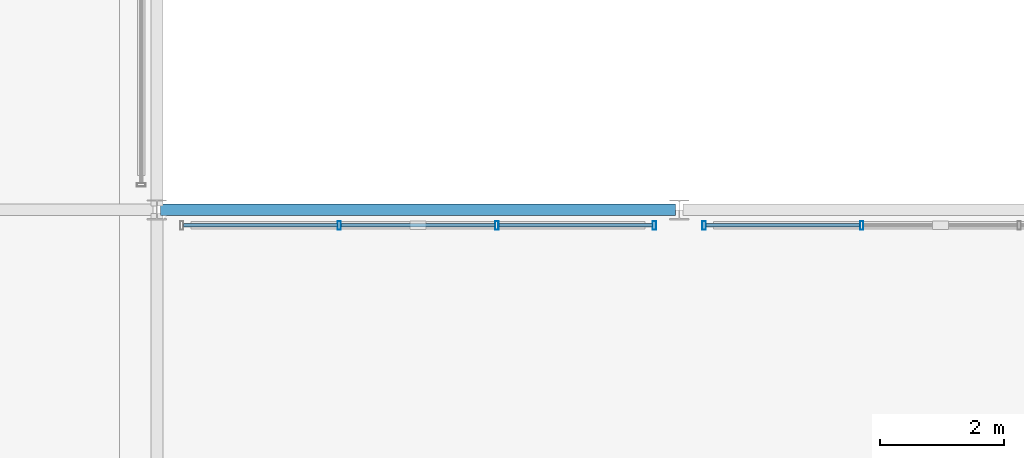
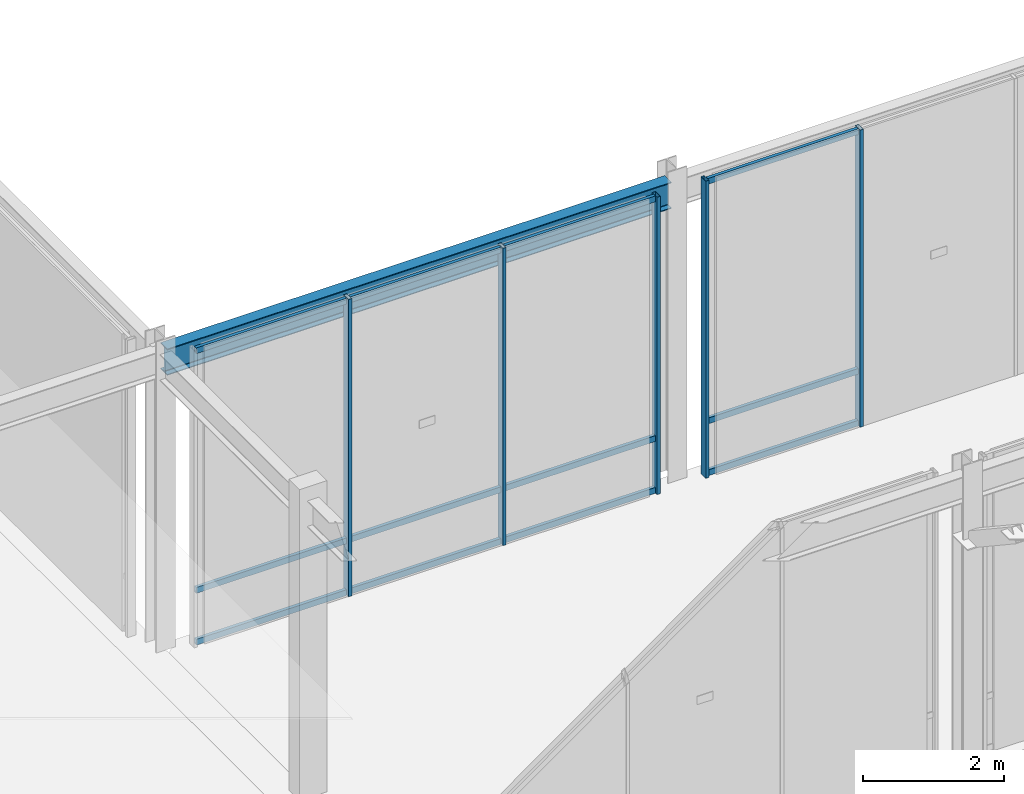
# One storey, part 40 of 157: 17 members, 1 beam, 2 elements without a shape of their own.
"""IFC4 building model written with IfcOpenShell, lengths in metres."""

from ifc_helpers import new_model, si_unit, direction, frame, origin, origin_2d, place, context, subcontext, project, spatial, hollow_rectangle, i_section, extrude, material, material_profile, profile_set, type_object, element, aggregate, save


model = new_model("IFC4")

# Units and contexts
model_context = context("Model", 3, precision=1e-05, world=origin(), true_north=direction((0.0, 1.0)))
body_context = subcontext(model_context, "Body", "Model", "MODEL_VIEW")
ifc_project = project(units=[si_unit("LENGTHUNIT", "METRE"), si_unit("AREAUNIT", "SQUARE_METRE"), si_unit("VOLUMEUNIT", "CUBIC_METRE"), si_unit("PLANEANGLEUNIT", "RADIAN"), si_unit("MASSUNIT", "GRAM", prefix="KILO"), si_unit("THERMODYNAMICTEMPERATUREUNIT", "KELVIN"), si_unit("POWERUNIT", "WATT")], contexts=[model_context])

# Site, building, storey
site_placement = place(None, origin())
site = spatial("IfcSite", under=ifc_project, at=site_placement, CompositionType="ELEMENT")
building_placement = place(site_placement, origin())
building = spatial("IfcBuilding", under=site, at=building_placement, Name="Darbajah Civic Hall", CompositionType="ELEMENT")
storey_placement = place(building_placement, origin())
storey = spatial("IfcBuildingStorey", under=building, at=storey_placement, Name="L00", CompositionType="ELEMENT", Elevation=0.0)

# Curtain wall, members
ifc_material_1 = material(Name="Anodised Bronze Aluminium and Low-E Glazing", Category="aluminium")
curtain_wall_type = type_object("IfcCurtainWallType", Name="Unitised Curtain Wall CW-101 7600x5150", PredefinedType="USERDEFINED", material=ifc_material_1)
curtain_wall_1_placement = place(storey_placement, origin())
curtain_wall_1 = element("IfcCurtainWall", 1, at=curtain_wall_1_placement, inside=storey, type_object=curtain_wall_type, Name="L00 unitised curtain wall CW-V6-SE-N-L00", ObjectType="UNITISED CURTAIN WALL", PredefinedType="USERDEFINED")
ifc_material_2 = material(Name="Anodised Bronze Aluminium", Category="aluminium")
ifc_material_profile_1 = material_profile(ifc_material_2, hollow_rectangle(XDim=0.054931640625, YDim=0.139892578125, WallThickness=0.003173828125, at=origin_2d()), Name="ALU MULLION 55x140")
ifc_profile_set_1 = profile_set([ifc_material_profile_1], Name="Anodised Bronze Aluminium")
member_type_1 = type_object("IfcMemberType", Name="ALU MULLION 55x140", PredefinedType="MULLION", material=ifc_profile_set_1)
member_1_placement = place(storey_placement, frame((97.13330078125, 41.75, 0.0), z_axis=(0.0, 0.0, 1.0), x_axis=(1.0, 0.0, 0.0)))
member_1 = element("IfcMember", 2, at=member_1_placement, type_object=member_type_1, Name="CW-V6-SE-N-L00 mullion 2", PredefinedType="MULLION", context=body_context, shape_type="SweptSolid", body=[
    extrude(hollow_rectangle(XDim=0.054931640625, YDim=0.139892578125, WallThickness=0.003173828125, at=origin_2d()), origin(), (0.0, 0.0, 1.0), 5.159912109375),
])
member_2_placement = place(storey_placement, frame((99.666748046875, 41.75, 0.0), z_axis=(0.0, 0.0, 1.0), x_axis=(1.0, 0.0, 0.0)))
member_2 = element("IfcMember", 3, at=member_2_placement, type_object=member_type_1, Name="CW-V6-SE-N-L00 mullion 3", PredefinedType="MULLION", context=body_context, shape_type="SweptSolid", body=[
    extrude(hollow_rectangle(XDim=0.054931640625, YDim=0.139892578125, WallThickness=0.003173828125, at=origin_2d()), origin(), (0.0, 0.0, 1.0), 5.159912109375),
])
member_3_placement = place(storey_placement, frame((102.199951171875, 41.75, 0.0), z_axis=(0.0, 0.0, 1.0), x_axis=(1.0, 0.0, 0.0)))
member_3 = element("IfcMember", 4, at=member_3_placement, type_object=member_type_1, Name="CW-V6-SE-N-L00 mullion 4", PredefinedType="MULLION", context=body_context, shape_type="SweptSolid", body=[
    extrude(hollow_rectangle(XDim=0.054931640625, YDim=0.139892578125, WallThickness=0.003173828125, at=origin_2d()), origin(), (0.0, 0.0, 1.0), 5.159912109375),
])

curtain_wall_2_placement = place(storey_placement, origin())
curtain_wall_2 = element("IfcCurtainWall", 5, at=curtain_wall_2_placement, inside=storey, type_object=curtain_wall_type, Name="L00 unitised curtain wall CW-V6-SE-N2-L00", ObjectType="UNITISED CURTAIN WALL", PredefinedType="USERDEFINED")
member_4_placement = place(storey_placement, frame((103.0, 41.75, 0.0), z_axis=(0.0, 0.0, 1.0), x_axis=(1.0, 0.0, 0.0)))
member_4 = element("IfcMember", 6, at=member_4_placement, type_object=member_type_1, Name="CW-V6-SE-N2-L00 mullion 1", PredefinedType="MULLION", context=body_context, shape_type="SweptSolid", body=[
    extrude(hollow_rectangle(XDim=0.054931640625, YDim=0.139892578125, WallThickness=0.003173828125, at=origin_2d()), origin(), (0.0, 0.0, 1.0), 5.159912109375),
])
member_5_placement = place(storey_placement, frame((105.533203125, 41.75, 0.0), z_axis=(0.0, 0.0, 1.0), x_axis=(1.0, 0.0, 0.0)))
member_5 = element("IfcMember", 7, at=member_5_placement, type_object=member_type_1, Name="CW-V6-SE-N2-L00 mullion 2", PredefinedType="MULLION", context=body_context, shape_type="SweptSolid", body=[
    extrude(hollow_rectangle(XDim=0.054931640625, YDim=0.139892578125, WallThickness=0.003173828125, at=origin_2d()), origin(), (0.0, 0.0, 1.0), 5.159912109375),
])

# Member
ifc_material_profile_2 = material_profile(ifc_material_2, hollow_rectangle(XDim=0.054931640625, YDim=0.10009765625, WallThickness=0.0029296875, at=origin_2d()), Name="ALU TRANSOM 55x100")
ifc_profile_set_2 = profile_set([ifc_material_profile_2], Name="Anodised Bronze Aluminium")
member_type_2 = type_object("IfcMemberType", Name="ALU TRANSOM 55x100", PredefinedType="USERDEFINED", material=ifc_profile_set_2)
member_6_placement = place(storey_placement, frame((94.632568359375, 41.75, 0.050048828125), z_axis=(1.0, 0.0, 0.0), x_axis=(0.0, 1.0, 0.0)))
member_6 = element("IfcMember", 8, at=member_6_placement, type_object=member_type_2, Name="CW-V6-SE-N-L00 transom 1.1", ObjectType="TRANSOM", PredefinedType="USERDEFINED", context=body_context, shape_type="SweptSolid", body=[
    extrude(hollow_rectangle(XDim=0.054931640625, YDim=0.10009765625, WallThickness=0.0029296875, at=origin_2d()), origin(), (0.0, 0.0, 1.0), 2.46826171875),
])

member_7_placement = place(storey_placement, frame((94.632568359375, 41.75, 0.949951171875), z_axis=(1.0, 0.0, 0.0), x_axis=(0.0, 1.0, 0.0)))
member_7 = element("IfcMember", 9, at=member_7_placement, type_object=member_type_2, Name="CW-V6-SE-N-L00 transom 1.2", ObjectType="TRANSOM", PredefinedType="USERDEFINED", context=body_context, shape_type="SweptSolid", body=[
    extrude(hollow_rectangle(XDim=0.054931640625, YDim=0.10009765625, WallThickness=0.0029296875, at=origin_2d()), origin(), (0.0, 0.0, 1.0), 2.46826171875),
])

member_8_placement = place(storey_placement, frame((94.632568359375, 41.75, 5.110107421875), z_axis=(1.0, 0.0, 0.0), x_axis=(0.0, 1.0, 0.0)))
member_8 = element("IfcMember", 10, at=member_8_placement, type_object=member_type_2, Name="CW-V6-SE-N-L00 transom 1.3", ObjectType="TRANSOM", PredefinedType="USERDEFINED", context=body_context, shape_type="SweptSolid", body=[
    extrude(hollow_rectangle(XDim=0.054931640625, YDim=0.10009765625, WallThickness=0.0029296875, at=origin_2d()), origin(), (0.0, 0.0, 1.0), 2.46826171875),
])

member_9_placement = place(storey_placement, frame((97.165771484375, 41.75, 0.050048828125), z_axis=(1.0, 0.0, 0.0), x_axis=(0.0, 1.0, 0.0)))
member_9 = element("IfcMember", 11, at=member_9_placement, type_object=member_type_2, Name="CW-V6-SE-N-L00 transom 2.1", ObjectType="TRANSOM", PredefinedType="USERDEFINED", context=body_context, shape_type="SweptSolid", body=[
    extrude(hollow_rectangle(XDim=0.054931640625, YDim=0.10009765625, WallThickness=0.0029296875, at=origin_2d()), origin(), (0.0, 0.0, 1.0), 2.468505859375),
])

member_10_placement = place(storey_placement, frame((97.165771484375, 41.75, 0.949951171875), z_axis=(1.0, 0.0, 0.0), x_axis=(0.0, 1.0, 0.0)))
member_10 = element("IfcMember", 12, at=member_10_placement, type_object=member_type_2, Name="CW-V6-SE-N-L00 transom 2.2", ObjectType="TRANSOM", PredefinedType="USERDEFINED", context=body_context, shape_type="SweptSolid", body=[
    extrude(hollow_rectangle(XDim=0.054931640625, YDim=0.10009765625, WallThickness=0.0029296875, at=origin_2d()), origin(), (0.0, 0.0, 1.0), 2.468505859375),
])

member_11_placement = place(storey_placement, frame((97.165771484375, 41.75, 5.110107421875), z_axis=(1.0, 0.0, 0.0), x_axis=(0.0, 1.0, 0.0)))
member_11 = element("IfcMember", 13, at=member_11_placement, type_object=member_type_2, Name="CW-V6-SE-N-L00 transom 2.3", ObjectType="TRANSOM", PredefinedType="USERDEFINED", context=body_context, shape_type="SweptSolid", body=[
    extrude(hollow_rectangle(XDim=0.054931640625, YDim=0.10009765625, WallThickness=0.0029296875, at=origin_2d()), origin(), (0.0, 0.0, 1.0), 2.468505859375),
])

member_12_placement = place(storey_placement, frame((99.69921875, 41.75, 0.050048828125), z_axis=(1.0, 0.0, 0.0), x_axis=(0.0, 1.0, 0.0)))
member_12 = element("IfcMember", 14, at=member_12_placement, type_object=member_type_2, Name="CW-V6-SE-N-L00 transom 3.1", ObjectType="TRANSOM", PredefinedType="USERDEFINED", context=body_context, shape_type="SweptSolid", body=[
    extrude(hollow_rectangle(XDim=0.054931640625, YDim=0.10009765625, WallThickness=0.0029296875, at=origin_2d()), origin(), (0.0, 0.0, 1.0), 2.46826171875),
])

member_13_placement = place(storey_placement, frame((99.69921875, 41.75, 0.949951171875), z_axis=(1.0, 0.0, 0.0), x_axis=(0.0, 1.0, 0.0)))
member_13 = element("IfcMember", 15, at=member_13_placement, type_object=member_type_2, Name="CW-V6-SE-N-L00 transom 3.2", ObjectType="TRANSOM", PredefinedType="USERDEFINED", context=body_context, shape_type="SweptSolid", body=[
    extrude(hollow_rectangle(XDim=0.054931640625, YDim=0.10009765625, WallThickness=0.0029296875, at=origin_2d()), origin(), (0.0, 0.0, 1.0), 2.46826171875),
])

member_14_placement = place(storey_placement, frame((99.69921875, 41.75, 5.110107421875), z_axis=(1.0, 0.0, 0.0), x_axis=(0.0, 1.0, 0.0)))
member_14 = element("IfcMember", 16, at=member_14_placement, type_object=member_type_2, Name="CW-V6-SE-N-L00 transom 3.3", ObjectType="TRANSOM", PredefinedType="USERDEFINED", context=body_context, shape_type="SweptSolid", body=[
    extrude(hollow_rectangle(XDim=0.054931640625, YDim=0.10009765625, WallThickness=0.0029296875, at=origin_2d()), origin(), (0.0, 0.0, 1.0), 2.46826171875),
])

aggregate(curtain_wall_1, [member_1, member_2, member_3, member_6, member_7, member_8, member_9, member_10, member_11, member_12, member_13, member_14])

member_15_placement = place(storey_placement, frame((103.032470703125, 41.75, 0.050048828125), z_axis=(1.0, 0.0, 0.0), x_axis=(0.0, 1.0, 0.0)))
member_15 = element("IfcMember", 17, at=member_15_placement, type_object=member_type_2, Name="CW-V6-SE-N2-L00 transom 1.1", ObjectType="TRANSOM", PredefinedType="USERDEFINED", context=body_context, shape_type="SweptSolid", body=[
    extrude(hollow_rectangle(XDim=0.054931640625, YDim=0.10009765625, WallThickness=0.0029296875, at=origin_2d()), origin(), (0.0, 0.0, 1.0), 2.46826171875),
])

member_16_placement = place(storey_placement, frame((103.032470703125, 41.75, 0.949951171875), z_axis=(1.0, 0.0, 0.0), x_axis=(0.0, 1.0, 0.0)))
member_16 = element("IfcMember", 18, at=member_16_placement, type_object=member_type_2, Name="CW-V6-SE-N2-L00 transom 1.2", ObjectType="TRANSOM", PredefinedType="USERDEFINED", context=body_context, shape_type="SweptSolid", body=[
    extrude(hollow_rectangle(XDim=0.054931640625, YDim=0.10009765625, WallThickness=0.0029296875, at=origin_2d()), origin(), (0.0, 0.0, 1.0), 2.46826171875),
])

member_17_placement = place(storey_placement, frame((103.032470703125, 41.75, 5.110107421875), z_axis=(1.0, 0.0, 0.0), x_axis=(0.0, 1.0, 0.0)))
member_17 = element("IfcMember", 19, at=member_17_placement, type_object=member_type_2, Name="CW-V6-SE-N2-L00 transom 1.3", ObjectType="TRANSOM", PredefinedType="USERDEFINED", context=body_context, shape_type="SweptSolid", body=[
    extrude(hollow_rectangle(XDim=0.054931640625, YDim=0.10009765625, WallThickness=0.0029296875, at=origin_2d()), origin(), (0.0, 0.0, 1.0), 2.46826171875),
])

aggregate(curtain_wall_2, [member_4, member_5, member_15, member_16, member_17])

# Beam
ifc_material_3 = material(Name="Steel S355JR", Category="steel")
ifc_material_profile_3 = material_profile(ifc_material_3, i_section(OverallWidth=0.1904296875, OverallDepth=0.45703125, WebThickness=0.009033203125, FlangeThickness=0.014404296875, FilletRadius=0.01025390625, at=origin_2d()), Name="UB 457x191x74")
ifc_profile_set_3 = profile_set([ifc_material_profile_3], Name="Steel S355JR")
beam_type = type_object("IfcBeamType", Name="UB 457x191x74", PredefinedType="BEAM", material=ifc_profile_set_3)
beam_placement = place(storey_placement, frame((94.260009765625, 42.0, 4.931396484375), z_axis=(1.0, 0.0, 0.0), x_axis=(0.0, 1.0, 0.0)))
element("IfcBeam", 20, at=beam_placement, inside=storey, type_object=beam_type, Name="L00 beam SB-457", PredefinedType="BEAM", context=body_context, shape_type="SweptSolid", body=[
    extrude(i_section(OverallWidth=0.1904296875, OverallDepth=0.45703125, WebThickness=0.009033203125, FlangeThickness=0.014404296875, FilletRadius=0.01025390625, at=origin_2d()), origin(), (0.0, 0.0, 1.0), 8.280029296875),
])

save(model, "model.ifc")
